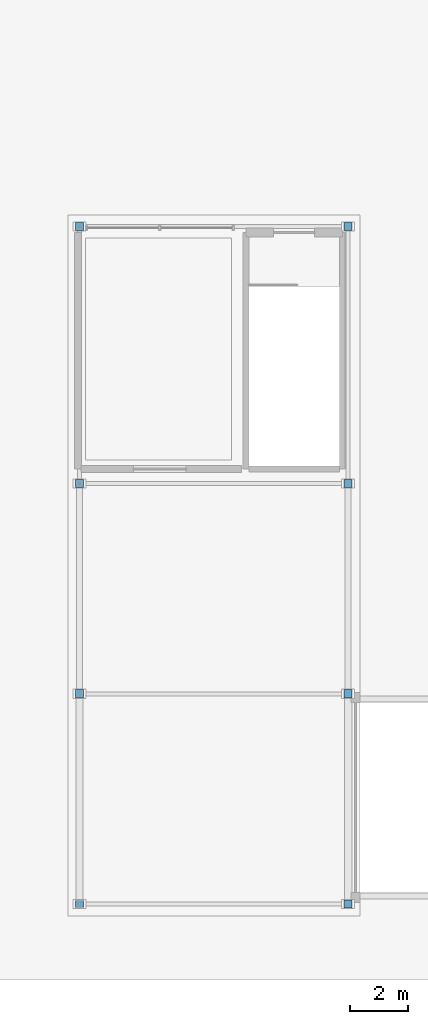
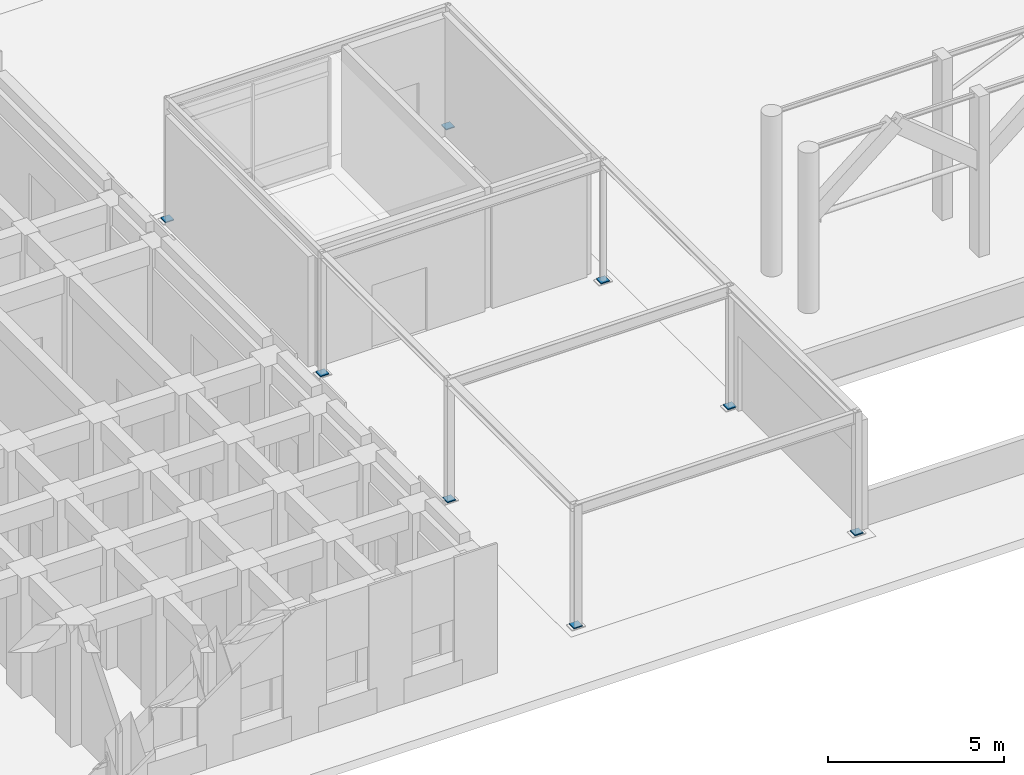
# One storey, part 114 of 135: 8 discrete accessories.
"""IFC4 building model written with IfcOpenShell, lengths in metres."""

from ifc_helpers import new_model, si_unit, direction, frame, origin, origin_2d, place, context, subcontext, project, spatial, rectangle, extrude, material, type_object, element, save


model = new_model("IFC4")

# Units and contexts
model_context = context("Model", 3, precision=1e-05, world=origin(), true_north=direction((0.0, 1.0)))
body_context = subcontext(model_context, "Body", "Model", "MODEL_VIEW")
ifc_project = project(units=[si_unit("LENGTHUNIT", "METRE"), si_unit("AREAUNIT", "SQUARE_METRE"), si_unit("VOLUMEUNIT", "CUBIC_METRE"), si_unit("PLANEANGLEUNIT", "RADIAN"), si_unit("MASSUNIT", "GRAM", prefix="KILO")], contexts=[model_context])

# Site, building, storey
site_placement = place(None, origin())
site = spatial("IfcSite", under=ifc_project, at=site_placement, CompositionType="ELEMENT")
building_placement = place(site_placement, origin())
building = spatial("IfcBuilding", under=site, at=building_placement, Name="Kiranvali Square Residences", CompositionType="ELEMENT")
storey_placement = place(building_placement, origin())
storey = spatial("IfcBuildingStorey", under=building, at=storey_placement, Name="L00", CompositionType="ELEMENT", Elevation=0.0)

# Discrete accessories
ifc_material = material(Name="Structural steel E350", Category="steel")
discrete_accessory_type = type_object("IfcDiscreteAccessoryType", Name="ACC-ANCHOR-M24", PredefinedType="ANCHORPLATE", material=ifc_material)
for number, where, z_axis, x_axis, name in (
    (1, (74.39990234375, 2.60009765625, 0.0283203125), (0.0, 0.0, 1.0), (1.0, 0.0, 0.0), "Steel portal column anchor plate assembly 01"),
    (2, (83.60009765625, 2.60009765625, 0.0283203125), (0.0, 0.0, 1.0), (1.0, 0.0, 0.0), "Steel portal column anchor plate assembly 02"),
    (3, (74.39990234375, 9.800048828125, 0.0283203125), (0.0, 0.0, 1.0), (1.0, 0.0, 0.0), "Steel portal column anchor plate assembly 03"),
    (4, (83.60009765625, 9.800048828125, 0.0283203125), (0.0, 0.0, 1.0), (1.0, 0.0, 0.0), "Steel portal column anchor plate assembly 04"),
    (5, (74.39990234375, 17.0, 0.0283203125), (0.0, 0.0, 1.0), (1.0, 0.0, 0.0), "Steel portal column anchor plate assembly 05"),
    (6, (83.60009765625, 17.0, 0.0283203125), (0.0, 0.0, 1.0), (1.0, 0.0, 0.0), "Steel portal column anchor plate assembly 06"),
    (7, (74.39990234375, 25.800048828125, 0.0283203125), (0.0, 0.0, 1.0), (1.0, 0.0, 0.0), "Steel portal column anchor plate assembly 07"),
    (8, (83.60009765625, 25.800048828125, 0.0283203125), (0.0, 0.0, 1.0), (1.0, 0.0, 0.0), "Steel portal column anchor plate assembly 08"),
):
    element("IfcDiscreteAccessory", number, at=place(storey_placement, frame(where, z_axis=z_axis, x_axis=x_axis)), inside=storey, type_object=discrete_accessory_type, Name=name, PredefinedType="ANCHORPLATE", context=body_context, shape_type="SweptSolid", body=[
        extrude(rectangle(XDim=0.280029296875, YDim=0.280029296875, at=origin_2d()), origin(), (0.0, 0.0, 1.0), 0.034912109375),
    ])

save(model, "model.ifc")
